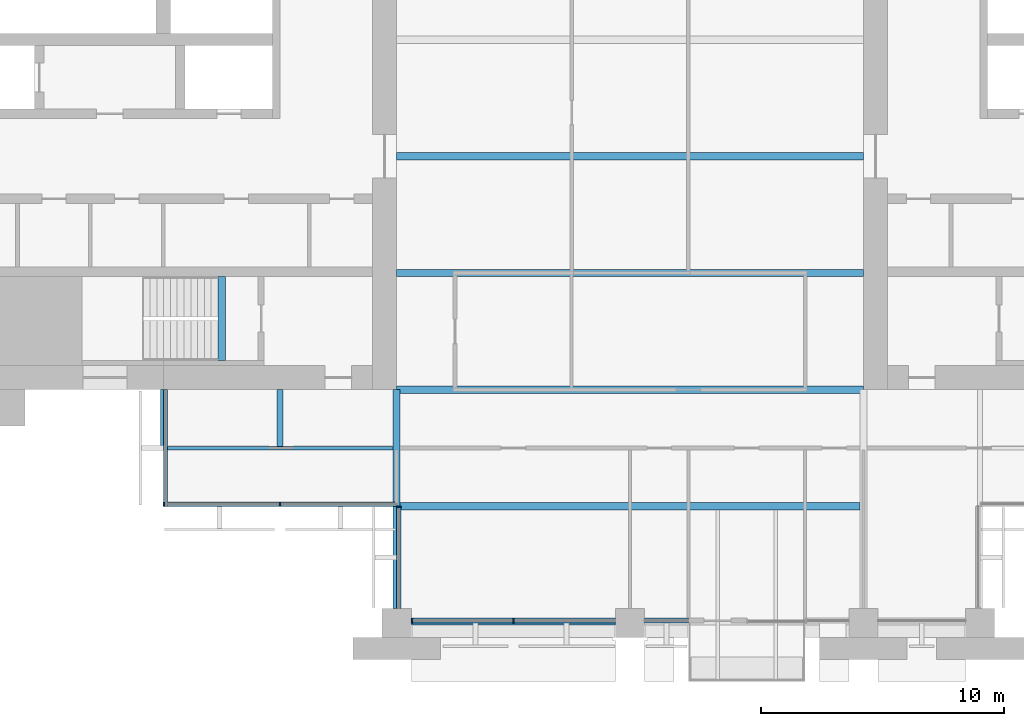
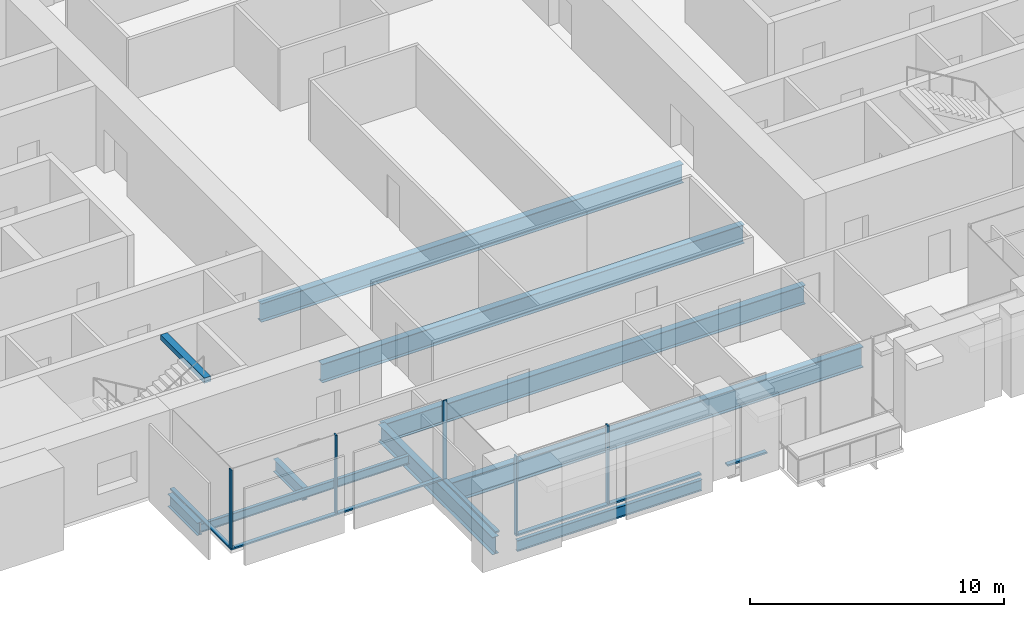
# One storey, part 2 of 15: 10 beams, 10 members, 4 elements without a shape of their own.
"""IFC4 building model written with IfcOpenShell, lengths in metres."""

from ifc_helpers import new_model, si_unit, direction, frame, origin, origin_2d, place, context, subcontext, project, spatial, rectangle, i_section, extrude, material, material_profile, profile_set, type_object, element, aggregate, save


model = new_model("IFC4")

# Units and contexts
model_context = context("Model", 3, precision=1e-05, world=origin(), true_north=direction((0.0, 1.0)))
body_context = subcontext(model_context, "Body", "Model", "MODEL_VIEW")
ifc_project = project(units=[si_unit("LENGTHUNIT", "METRE"), si_unit("AREAUNIT", "SQUARE_METRE"), si_unit("VOLUMEUNIT", "CUBIC_METRE"), si_unit("PLANEANGLEUNIT", "RADIAN"), si_unit("MASSUNIT", "GRAM", prefix="KILO")], contexts=[model_context])

# Site, building, storey
site_placement = place(None, origin())
site = spatial("IfcSite", under=ifc_project, at=site_placement, CompositionType="ELEMENT")
building_placement = place(site_placement, origin())
building = spatial("IfcBuilding", under=site, at=building_placement, Name="Baori Bourse Tower", CompositionType="ELEMENT")
storey_placement = place(building_placement, frame((0.0, 0.0, 164.10009765625)))
storey = spatial("IfcBuildingStorey", under=building, at=storey_placement, Name="L36", CompositionType="ELEMENT", Elevation=164.10009765625)

# Curtain wall, members
ifc_material_1 = material(Name="Pale anodised aluminium", Category="aluminium")
curtain_wall_type_1 = type_object("IfcCurtainWallType", Name="CW1 Curtain wall", PredefinedType="NOTDEFINED", material=ifc_material_1)
curtain_wall_1_placement = place(storey_placement, origin())
curtain_wall_1 = element("IfcCurtainWall", 1, at=curtain_wall_1_placement, inside=storey, type_object=curtain_wall_type_1, Name="Curtain wall CW1 L36 13", PredefinedType="NOTDEFINED")
ifc_material_2 = material(Name="Pale anodised aluminium", Category="aluminium")
ifc_material_profile_1 = material_profile(ifc_material_2, rectangle(XDim=0.199951171875, YDim=0.06005859375, at=origin_2d()), Name="Mullion 60x200")
ifc_profile_set_1 = profile_set([ifc_material_profile_1], Name="Pale anodised aluminium")
member_type_1 = type_object("IfcMemberType", Name="CW1 Curtain wall mullion", PredefinedType="MULLION", material=ifc_profile_set_1)
member_1_placement = place(storey_placement, frame((19.830078125, 0.10009765625, 0.079833984375), z_axis=(0.0, 0.0, 1.0), x_axis=(0.0, 1.0, 0.0)))
member_1 = element("IfcMember", 2, at=member_1_placement, type_object=member_type_1, Name="Curtain wall CW1 mullion", PredefinedType="MULLION", context=body_context, shape_type="SweptSolid", body=[
    extrude(rectangle(XDim=0.199951171875, YDim=0.06005859375, at=origin_2d()), origin(), (0.0, 0.0, 1.0), 3.760009765625),
])
member_2_placement = place(storey_placement, frame((24.0, 0.10009765625, 0.079833984375), z_axis=(0.0, 0.0, 1.0), x_axis=(0.0, 1.0, 0.0)))
member_2 = element("IfcMember", 3, at=member_2_placement, type_object=member_type_1, Name="Curtain wall CW1 mullion", PredefinedType="MULLION", context=body_context, shape_type="SweptSolid", body=[
    extrude(rectangle(XDim=0.199951171875, YDim=0.06005859375, at=origin_2d()), origin(), (0.0, 0.0, 1.0), 3.760009765625),
])
ifc_material_3 = material(Name="Pale anodised aluminium", Category="aluminium")
ifc_material_profile_2 = material_profile(ifc_material_3, rectangle(XDim=0.199951171875, YDim=0.080078125, at=origin_2d()), Name="Transom 80x200")
ifc_profile_set_2 = profile_set([ifc_material_profile_2], Name="Pale anodised aluminium")
member_type_2 = type_object("IfcMemberType", Name="CW1 Curtain wall transom", PredefinedType="USERDEFINED", material=ifc_profile_set_2)
member_3_placement = place(storey_placement, frame((19.800048828125, 0.10009765625, 0.039794921875), z_axis=(1.0, 0.0, 0.0), x_axis=(0.0, 1.0, 0.0)))
member_3 = element("IfcMember", 4, at=member_3_placement, type_object=member_type_2, Name="Curtain wall CW1 sill rail", ObjectType="TRANSOM", PredefinedType="USERDEFINED", context=body_context, shape_type="SweptSolid", body=[
    extrude(rectangle(XDim=0.199951171875, YDim=0.080078125, at=origin_2d()), origin(), (0.0, 0.0, 1.0), 8.39990234375),
])
member_4_placement = place(storey_placement, frame((29.39990234375, 0.10009765625, 0.039794921875), z_axis=(1.0, 0.0, 0.0), x_axis=(0.0, 1.0, 0.0)))
member_4 = element("IfcMember", 5, at=member_4_placement, type_object=member_type_2, Name="Curtain wall CW1 sill rail", ObjectType="TRANSOM", PredefinedType="USERDEFINED", context=body_context, shape_type="SweptSolid", body=[
    extrude(rectangle(XDim=0.199951171875, YDim=0.080078125, at=origin_2d()), origin(), (0.0, 0.0, 1.0), 1.800048828125),
])
aggregate(curtain_wall_1, [member_3, member_1, member_2, member_4])

ifc_material_4 = material(Name="Pale anodised aluminium", Category="aluminium")
curtain_wall_type_2 = type_object("IfcCurtainWallType", Name="CW2 Curtain wall", PredefinedType="NOTDEFINED", material=ifc_material_4)
curtain_wall_2_placement = place(storey_placement, origin())
curtain_wall_2 = element("IfcCurtainWall", 6, at=curtain_wall_2_placement, inside=storey, type_object=curtain_wall_type_2, Name="Curtain wall CW2 L36 11", PredefinedType="NOTDEFINED")
ifc_material_5 = material(Name="Pale anodised aluminium", Category="aluminium")
ifc_material_profile_3 = material_profile(ifc_material_5, rectangle(XDim=0.179931640625, YDim=0.054931640625, at=origin_2d()), Name="Mullion 55x180")
ifc_profile_set_3 = profile_set([ifc_material_profile_3], Name="Pale anodised aluminium")
member_type_3 = type_object("IfcMemberType", Name="CW2 Curtain wall mullion", PredefinedType="MULLION", material=ifc_profile_set_3)
member_5_placement = place(storey_placement, frame((9.62744140625, 4.889892578125, 0.06982421875), z_axis=(0.0, 0.0, 1.0), x_axis=(0.0, 1.0, 0.0)))
member_5 = element("IfcMember", 7, at=member_5_placement, type_object=member_type_3, Name="Curtain wall CW2 mullion", PredefinedType="MULLION", context=body_context, shape_type="SweptSolid", body=[
    extrude(rectangle(XDim=0.179931640625, YDim=0.054931640625, at=origin_2d()), origin(), (0.0, 0.0, 1.0), 3.77001953125),
])
member_6_placement = place(storey_placement, frame((14.39990234375, 4.889892578125, 0.06982421875), z_axis=(0.0, 0.0, 1.0), x_axis=(0.0, 1.0, 0.0)))
member_6 = element("IfcMember", 8, at=member_6_placement, type_object=member_type_3, Name="Curtain wall CW2 mullion", PredefinedType="MULLION", context=body_context, shape_type="SweptSolid", body=[
    extrude(rectangle(XDim=0.179931640625, YDim=0.054931640625, at=origin_2d()), origin(), (0.0, 0.0, 1.0), 3.77001953125),
])

# Curtain wall, member
curtain_wall_3_placement = place(storey_placement, origin())
curtain_wall_3 = element("IfcCurtainWall", 9, at=curtain_wall_3_placement, inside=storey, type_object=curtain_wall_type_2, Name="Curtain wall CW2 L36 12", PredefinedType="NOTDEFINED")
member_7_placement = place(storey_placement, frame((19.2900390625, 4.7724609375, 0.06982421875), z_axis=(0.0, 0.0, 1.0), x_axis=(1.0, 0.0, 0.0)))
member_7 = element("IfcMember", 10, at=member_7_placement, type_object=member_type_3, Name="Curtain wall CW2 mullion", PredefinedType="MULLION", context=body_context, shape_type="SweptSolid", body=[
    extrude(rectangle(XDim=0.179931640625, YDim=0.054931640625, at=origin_2d()), origin(), (0.0, 0.0, 1.0), 3.77001953125),
])

curtain_wall_4_placement = place(storey_placement, origin())
curtain_wall_4 = element("IfcCurtainWall", 11, at=curtain_wall_4_placement, inside=storey, type_object=curtain_wall_type_2, Name="Curtain wall CW2 L36 10", PredefinedType="NOTDEFINED")
ifc_material_6 = material(Name="Pale anodised aluminium", Category="aluminium")
ifc_material_profile_4 = material_profile(ifc_material_6, rectangle(XDim=0.179931640625, YDim=0.070068359375, at=origin_2d()), Name="Transom 70x180")
ifc_profile_set_4 = profile_set([ifc_material_profile_4], Name="Pale anodised aluminium")
member_type_4 = type_object("IfcMemberType", Name="CW2 Curtain wall transom", PredefinedType="USERDEFINED", material=ifc_profile_set_4)
member_8_placement = place(storey_placement, frame((9.68994140625, 9.60009765625, 0.034912109375), z_axis=(0.0, -1.0, 0.0), x_axis=(1.0, 0.0, 0.0)))
member_8 = element("IfcMember", 12, at=member_8_placement, type_object=member_type_4, Name="Curtain wall CW2 sill rail", ObjectType="TRANSOM", PredefinedType="USERDEFINED", context=body_context, shape_type="SweptSolid", body=[
    extrude(rectangle(XDim=0.179931640625, YDim=0.070068359375, at=origin_2d()), origin(), (0.0, 0.0, 1.0), 4.800048828125),
])
aggregate(curtain_wall_4, [member_8])

# Member
member_9_placement = place(storey_placement, frame((9.60009765625, 4.889892578125, 0.034912109375), z_axis=(1.0, 0.0, 0.0), x_axis=(0.0, 1.0, 0.0)))
member_9 = element("IfcMember", 13, at=member_9_placement, type_object=member_type_4, Name="Curtain wall CW2 sill rail", ObjectType="TRANSOM", PredefinedType="USERDEFINED", context=body_context, shape_type="SweptSolid", body=[
    extrude(rectangle(XDim=0.179931640625, YDim=0.070068359375, at=origin_2d()), origin(), (0.0, 0.0, 1.0), 9.599853515625),
])

aggregate(curtain_wall_2, [member_9, member_5, member_6])

member_10_placement = place(storey_placement, frame((19.2900390625, 4.800048828125, 0.034912109375), z_axis=(0.0, -1.0, 0.0), x_axis=(1.0, 0.0, 0.0)))
member_10 = element("IfcMember", 14, at=member_10_placement, type_object=member_type_4, Name="Curtain wall CW2 sill rail", ObjectType="TRANSOM", PredefinedType="USERDEFINED", context=body_context, shape_type="SweptSolid", body=[
    extrude(rectangle(XDim=0.179931640625, YDim=0.070068359375, at=origin_2d()), origin(), (0.0, 0.0, 1.0), 4.199951171875),
])

aggregate(curtain_wall_3, [member_10, member_7])

# Beams
ifc_material_7 = material(Name="Steel A992 Gr 50", Category="steel")
ifc_material_profile_5 = material_profile(ifc_material_7, i_section(OverallWidth=0.227783203125, OverallDepth=0.60205078125, WebThickness=0.010498046875, FlangeThickness=0.014892578125, at=origin_2d()), Name="W24x68")
ifc_profile_set_5 = profile_set([ifc_material_profile_5], Name="Steel A992 Gr 50")
beam_type_1 = type_object("IfcBeamType", Name="Core bracket W24x68", PredefinedType="BEAM", material=ifc_profile_set_5)
for number, where, z_axis, x_axis, name in (
    (15, (9.60009765625, 7.270263671875, -0.461181640625), (0.0, 1.0, 0.0), (-1.0, 0.0, 0.0), "Core bracket L36"),
    (16, (14.39990234375, 7.270263671875, -0.461181640625), (0.0, 1.0, 0.0), (-1.0, 0.0, 0.0), "Core bracket L36"),
):
    element("IfcBeam", number, at=place(storey_placement, frame(where, z_axis=z_axis, x_axis=x_axis)), inside=storey, type_object=beam_type_1, Name=name, PredefinedType="BEAM", context=body_context, shape_type="SweptSolid", body=[
        extrude(i_section(OverallWidth=0.227783203125, OverallDepth=0.60205078125, WebThickness=0.010498046875, FlangeThickness=0.014892578125, at=origin_2d()), origin(), (0.0, 0.0, 1.0), 2.329833984375),
    ])
ifc_material_8 = material(Name="Steel A992 Gr 50", Category="steel")
ifc_material_profile_6 = material_profile(ifc_material_8, i_section(OverallWidth=0.1650390625, OverallDepth=0.52587890625, WebThickness=0.0087890625, FlangeThickness=0.011474609375, at=origin_2d()), Name="W21x44")
ifc_profile_set_6 = profile_set([ifc_material_profile_6], Name="Steel A992 Gr 50")
beam_type_2 = type_object("IfcBeamType", Name="Edge beam W21x44", PredefinedType="BEAM", material=ifc_profile_set_6)
beam_1_placement = place(storey_placement, frame((19.800048828125, 0.0, -0.423095703125), z_axis=(1.0, 0.0, 0.0), x_axis=(0.0, 1.0, 0.0)))
element("IfcBeam", 17, at=beam_1_placement, inside=storey, type_object=beam_type_2, Name="Edge beam L36", PredefinedType="BEAM", context=body_context, shape_type="SweptSolid", body=[
    extrude(i_section(OverallWidth=0.1650390625, OverallDepth=0.52587890625, WebThickness=0.0087890625, FlangeThickness=0.011474609375, at=origin_2d()), origin(), (0.0, 0.0, 1.0), 8.39990234375),
])
ifc_material_9 = material(Name="Steel A992 Gr 50", Category="steel")
ifc_material_profile_7 = material_profile(ifc_material_9, i_section(OverallWidth=0.3046875, OverallDepth=0.904296875, WebThickness=0.01513671875, FlangeThickness=0.02001953125, at=origin_2d()), Name="W36x135")
ifc_profile_set_7 = profile_set([ifc_material_profile_7], Name="Steel A992 Gr 50")
beam_type_3 = type_object("IfcBeamType", Name="Floor beam W36x135", PredefinedType="BEAM", material=ifc_profile_set_7)
for number, where, z_axis, x_axis, name in (
    (18, (19.199951171875, 9.60009765625, -0.6123046875), (1.0, 0.0, 0.0), (0.0, 1.0, 0.0), "Floor beam L36"),
    (19, (19.199951171875, 14.39990234375, -0.6123046875), (1.0, 0.0, 0.0), (0.0, 1.0, 0.0), "Floor beam L36"),
    (20, (19.199951171875, 19.199951171875, -0.6123046875), (1.0, 0.0, 0.0), (0.0, 1.0, 0.0), "Floor beam L36"),
):
    element("IfcBeam", number, at=place(storey_placement, frame(where, z_axis=z_axis, x_axis=x_axis)), inside=storey, type_object=beam_type_3, Name=name, PredefinedType="BEAM", context=body_context, shape_type="SweptSolid", body=[
        extrude(i_section(OverallWidth=0.3046875, OverallDepth=0.904296875, WebThickness=0.01513671875, FlangeThickness=0.02001953125, at=origin_2d()), origin(), (0.0, 0.0, 1.0), 19.199951171875),
    ])
ifc_material_10 = material(Name="Steel A992 Gr 50", Category="steel")
ifc_material_profile_8 = material_profile(ifc_material_10, i_section(OverallWidth=0.2998046875, OverallDepth=0.990478515625, WebThickness=0.0166015625, FlangeThickness=0.030517578125, at=origin_2d()), Name="W40x183")
ifc_profile_set_8 = profile_set([ifc_material_profile_8], Name="Steel A992 Gr 50")
beam_type_4 = type_object("IfcBeamType", Name="Floor beam W40x183", PredefinedType="BEAM", material=ifc_profile_set_8)
beam_2_placement = place(storey_placement, frame((19.345947265625, 4.800048828125, -0.655517578125), z_axis=(1.0, 0.0, 0.0), x_axis=(0.0, 1.0, 0.0)))
element("IfcBeam", 21, at=beam_2_placement, inside=storey, type_object=beam_type_4, Name="Floor beam L36", PredefinedType="BEAM", context=body_context, shape_type="SweptSolid", body=[
    extrude(i_section(OverallWidth=0.2998046875, OverallDepth=0.990478515625, WebThickness=0.0166015625, FlangeThickness=0.030517578125, at=origin_2d()), origin(), (0.0, 0.0, 1.0), 18.907958984375),
])
ifc_material_11 = material(Name="Steel A992 Gr 50", Category="steel")
ifc_material_profile_9 = material_profile(ifc_material_11, i_section(OverallWidth=0.2919921875, OverallDepth=0.835693359375, WebThickness=0.013916015625, FlangeThickness=0.018798828125, at=origin_2d()), Name="W33x118")
ifc_profile_set_9 = profile_set([ifc_material_profile_9], Name="Steel A992 Gr 50")
beam_type_5 = type_object("IfcBeamType", Name="Girder W33x118", PredefinedType="BEAM", material=ifc_profile_set_9)
beam_3_placement = place(storey_placement, frame((19.199951171875, 0.60009765625, -0.577880859375), z_axis=(0.0, 1.0, 0.0), x_axis=(-1.0, 0.0, 0.0)))
element("IfcBeam", 22, at=beam_3_placement, inside=storey, type_object=beam_type_5, Name="Girder L36", PredefinedType="BEAM", context=body_context, shape_type="SweptSolid", body=[
    extrude(i_section(OverallWidth=0.2919921875, OverallDepth=0.835693359375, WebThickness=0.013916015625, FlangeThickness=0.018798828125, at=origin_2d()), origin(), (0.0, 0.0, 1.0), 9.0),
])
ifc_material_12 = material(Name="Concrete f'c 50 MPa", Category="concrete")
ifc_material_profile_10 = material_profile(ifc_material_12, rectangle(XDim=0.300048828125, YDim=0.25, at=origin_2d()), Name="RC 300x250")
ifc_profile_set_10 = profile_set([ifc_material_profile_10], Name="Concrete f'c 50 MPa")
beam_type_6 = type_object("IfcBeamType", Name="Stair nib beam RC 300x250", PredefinedType="BEAM", material=ifc_profile_set_10)
beam_4_placement = place(storey_placement, frame((12.0, 10.800048828125, 3.71484375), z_axis=(0.0, 1.0, 0.0), x_axis=(-1.0, 0.0, 0.0)))
element("IfcBeam", 23, at=beam_4_placement, inside=storey, type_object=beam_type_6, Name="Stair WA nib beam L37", PredefinedType="BEAM", context=body_context, shape_type="SweptSolid", body=[
    extrude(rectangle(XDim=0.300048828125, YDim=0.25, at=origin_2d()), origin(), (0.0, 0.0, 1.0), 3.449951171875),
])
ifc_material_13 = material(Name="Steel A992 Gr 50", Category="steel")
ifc_material_profile_11 = material_profile(ifc_material_13, i_section(OverallWidth=0.140380859375, OverallDepth=0.40380859375, WebThickness=0.007080078125, FlangeThickness=0.01123046875, at=origin_2d()), Name="W16x31")
ifc_profile_set_11 = profile_set([ifc_material_profile_11], Name="Steel A992 Gr 50")
beam_type_7 = type_object("IfcBeamType", Name="Trimmer beam W16x31", PredefinedType="BEAM", material=ifc_profile_set_11)
beam_5_placement = place(storey_placement, frame((9.60009765625, 7.199951171875, -0.362060546875), z_axis=(1.0, 0.0, 0.0), x_axis=(0.0, 1.0, 0.0)))
element("IfcBeam", 24, at=beam_5_placement, inside=storey, type_object=beam_type_7, Name="Trimmer beam L36", PredefinedType="BEAM", context=body_context, shape_type="SweptSolid", body=[
    extrude(i_section(OverallWidth=0.140380859375, OverallDepth=0.40380859375, WebThickness=0.007080078125, FlangeThickness=0.01123046875, at=origin_2d()), origin(), (0.0, 0.0, 1.0), 9.453857421875),
])

save(model, "model.ifc")
